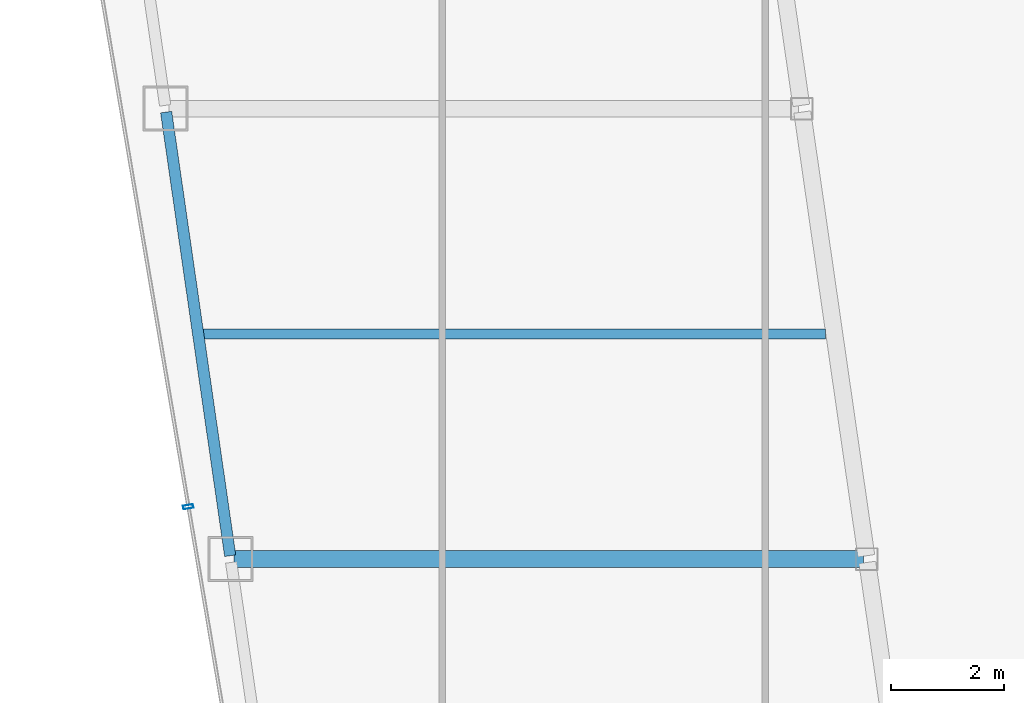
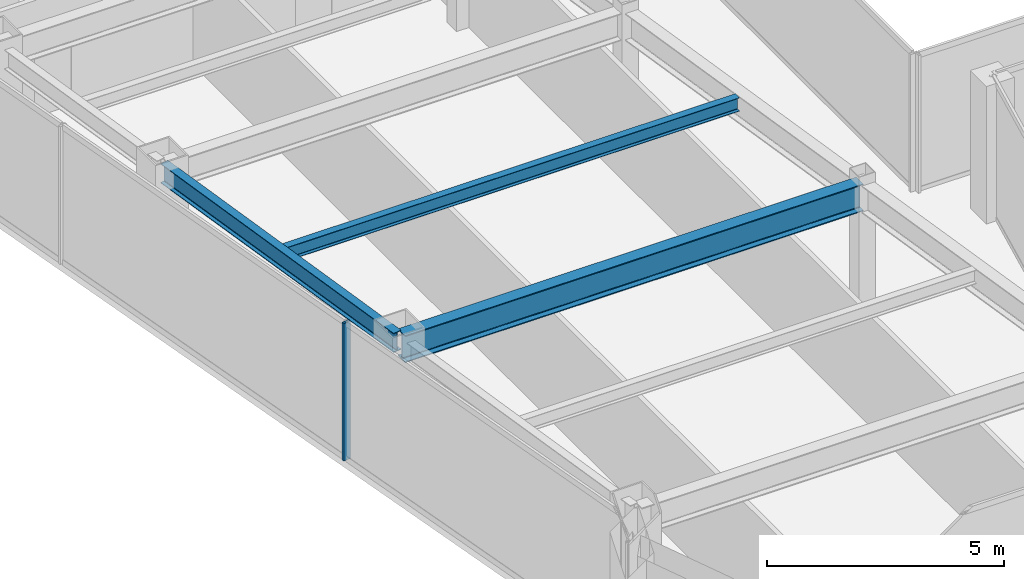
# One storey, part 5 of 36: 3 beams, 1 member, 1 element without a shape of its own.
"""IFC4 building model written with IfcOpenShell, lengths in metres."""

import ifcopenshell
import ifcopenshell.guid

model = None  # the IFC model being written
_history = None  # IfcOwnerHistory: only IFC2X3 demands one
_inside = {}  # id of a spatial element -> (the spatial element, [elements in it])
_under = {}  # id of a project, library or spatial element -> (it, [spatial elements below it])
_declared = {}  # id of a project -> (the project, [libraries it declares])
_typed = {}  # id of a type object -> (the type object, [elements of that type])
_made_of = {}  # id of a material, layer set ... -> (it, [elements and type objects made of it])


def new_model(schema):
    """Start an empty IFC model of exactly this schema.

    Asked for "IFC4X3", IfcOpenShell would pick the latest addendum, in which some entities
    have other attributes; the version numbers below select the first issue.
    IFC2X3 requires an IfcOwnerHistory on every rooted entity: one is made here for all.
    """
    global model, _history
    if schema == "IFC4X3":
        model = ifcopenshell.file(schema_version=(4, 3, 0, 0))
    else:
        model = ifcopenshell.file(schema=schema)
    _inside.clear()
    _under.clear()
    _declared.clear()
    _typed.clear()
    _made_of.clear()
    _history = None
    if model.schema == "IFC2X3":
        org = make("IfcOrganization", Name="unknown")
        user = make(
            "IfcPersonAndOrganization",
            ThePerson=make("IfcPerson", FamilyName="unknown"),
            TheOrganization=org,
        )
        app = make(
            "IfcApplication",
            ApplicationDeveloper=org,
            Version="unknown",
            ApplicationFullName="unknown",
            ApplicationIdentifier="unknown",
        )
        _history = make(
            "IfcOwnerHistory",
            OwningUser=user,
            OwningApplication=app,
            ChangeAction="ADDED",
            CreationDate=0,
        )
    return model


def make(cls, **values):
    """One entity of the class cls with the attributes given. An attribute that is None is left unset."""
    return model.create_entity(
        cls, **{name: value for name, value in values.items() if value is not None}
    )


def rooted(cls, **values):
    """An entity with a GlobalId (a new one), such as an element, a storey or a relation."""
    return make(cls, GlobalId=ifcopenshell.guid.new(), OwnerHistory=_history, **values)


def si_unit(unit_type, name, prefix=None):
    """IfcSIUnit, for example si_unit("LENGTHUNIT", "METRE", prefix="MILLI")."""
    return make("IfcSIUnit", UnitType=unit_type, Prefix=prefix, Name=name)


def assignment(units):
    """IfcUnitAssignment: the units of a project."""
    return None if units is None else make("IfcUnitAssignment", Units=units)


def point(xyz):
    """IfcCartesianPoint."""
    return None if xyz is None else make("IfcCartesianPoint", Coordinates=xyz)


def direction(xyz):
    """IfcDirection."""
    return None if xyz is None else make("IfcDirection", DirectionRatios=xyz)


def frame(location, z_axis=None, x_axis=None):
    """IfcAxis2Placement3D, a coordinate frame: its origin and axes. An axis left out is left unset."""
    return make(
        "IfcAxis2Placement3D",
        Location=point(location),
        Axis=direction(z_axis),
        RefDirection=direction(x_axis),
    )


def frame_2d(location, x_axis=None):
    """IfcAxis2Placement2D, a coordinate frame in the plane: its origin and x axis."""
    return make(
        "IfcAxis2Placement2D", Location=point(location), RefDirection=direction(x_axis)
    )


def origin():
    """The frame at (0, 0, 0) with its axes left unset."""
    return frame((0.0, 0.0, 0.0))


def origin_2d():
    """The frame at (0, 0) in the plane with its x axis left unset."""
    return frame_2d((0.0, 0.0))


def place(relative_to, where):
    """IfcLocalPlacement: puts the frame where relative to a parent placement (None: the world)."""
    return make(
        "IfcLocalPlacement", PlacementRelTo=relative_to, RelativePlacement=where
    )


def context(
    kind, dimensions, precision=None, world=None, true_north=None, identifier=None
):
    """IfcGeometricRepresentationContext, for example the 3D "Model" context."""
    return make(
        "IfcGeometricRepresentationContext",
        ContextIdentifier=identifier,
        ContextType=kind,
        CoordinateSpaceDimension=dimensions,
        Precision=precision,
        WorldCoordinateSystem=world,
        TrueNorth=true_north,
    )


def subcontext(parent, identifier, kind, view, scale=None):
    """IfcGeometricRepresentationSubContext, for example "Body" below "Model"."""
    return make(
        "IfcGeometricRepresentationSubContext",
        ContextIdentifier=identifier,
        ContextType=kind,
        ParentContext=parent,
        TargetScale=scale,
        TargetView=view,
    )


def project(units=None, contexts=None):
    """IfcProject with its units and contexts."""
    return rooted(
        "IfcProject",
        Name="project",
        RepresentationContexts=contexts,
        UnitsInContext=assignment(units),
    )


def spatial(cls, under=None, at=None, **own):
    """A site, building, storey or space (cls), placed at a placement, below another one or the project."""
    s = rooted(cls, ObjectPlacement=at, **own)
    if under is not None:
        _under.setdefault(under.id(), (under, []))[1].append(s)
    return s


def profile(cls, at=None, kind="AREA", **sizes):
    """A parametric profile (cls). Its sizes go by their IFC names, for example OverallWidth=200.0."""
    return make(cls, ProfileType=kind, Position=at, **sizes)


def hollow_rectangle(**sizes):
    """IfcRectangleHollowProfileDef."""
    return profile("IfcRectangleHollowProfileDef", **sizes)


def i_section(**sizes):
    """IfcIShapeProfileDef."""
    return profile("IfcIShapeProfileDef", **sizes)


def extrude(swept, where, along, depth):
    """IfcExtrudedAreaSolid: the profile swept, set in the frame where, extruded along a direction by depth."""
    return make(
        "IfcExtrudedAreaSolid",
        SweptArea=swept,
        Position=where,
        ExtrudedDirection=direction(along),
        Depth=depth,
    )


def shape(context_of_items, identifier, shape_type, items):
    """IfcShapeRepresentation: the items that make up one representation, for example the "Body"."""
    return make(
        "IfcShapeRepresentation",
        ContextOfItems=context_of_items,
        RepresentationIdentifier=identifier,
        RepresentationType=shape_type,
        Items=items,
    )


def material(Name=None, Category=None):
    """IfcMaterial."""
    return make("IfcMaterial", Name=Name, Category=Category)


def material_profile(
    of_material, cross_section, Name=None, Category=None, Priority=None
):
    """IfcMaterialProfile: a cross section and its material."""
    return make(
        "IfcMaterialProfile",
        Name=Name,
        Material=of_material,
        Profile=cross_section,
        Priority=Priority,
        Category=Category,
    )


def profile_set(profiles, Name=None, composite=None):
    """IfcMaterialProfileSet."""
    return make(
        "IfcMaterialProfileSet",
        Name=Name,
        MaterialProfiles=profiles,
        CompositeProfile=composite,
    )


def made_of(thing, what):
    """Note that an element or type object is made of a material, layer set ...; save() writes the relation."""
    if what is not None:
        _made_of.setdefault(what.id(), (what, []))[1].append(thing)
    return thing


def type_object(cls, material=None, **own):
    """A type object (cls), such as IfcWallType, which elements share."""
    return made_of(rooted(cls, **own), material)


def element(
    cls,
    number,
    at=None,
    inside=None,
    cuts=None,
    type_object=None,
    material=None,
    context=None,
    identifier="Body",
    shape_type=None,
    held_by="IfcProductDefinitionShape",
    body=None,
    shapes=None,
    **own,
):
    """One element of the class cls, such as IfcWall. Its Tag is "e" and its number.

    at: its placement. inside: the storey or other place that contains it. cuts: it is an
    opening in that element (IfcRelVoidsElement). A single representation is given by context,
    identifier, shape_type and body (its items); several are given by shapes. held_by: the class
    of the entity that holds the representations. save() writes the other relations.
    """
    e = rooted(cls, Tag="e%d" % number, ObjectPlacement=at, **own)
    if body is not None:
        shapes = [shape(context, identifier, shape_type, body)]
    if shapes is not None:
        e.Representation = make(held_by, Representations=shapes)
    if inside is not None:
        _inside.setdefault(inside.id(), (inside, []))[1].append(e)
    if cuts is not None:
        rooted(
            "IfcRelVoidsElement", RelatingBuildingElement=cuts, RelatedOpeningElement=e
        )
    if type_object is not None:
        _typed.setdefault(type_object.id(), (type_object, []))[1].append(e)
    return made_of(e, material)


def aggregate(whole, parts):
    """IfcRelAggregates: a whole, such as a stair, and the parts it consists of."""
    return rooted("IfcRelAggregates", RelatingObject=whole, RelatedObjects=parts)


def save(model, path):
    """Write the relations noted so far, then the file.

    IfcRelAggregates (storeys below a building ...), IfcRelContainedInSpatialStructure (elements
    in a storey), IfcRelDefinesByType, IfcRelAssociatesMaterial and IfcRelDeclares: one each for
    every whole, place, type object, material and project.
    """
    for whole, parts in _under.values():
        aggregate(whole, parts)
    for where, things in _inside.values():
        rooted(
            "IfcRelContainedInSpatialStructure",
            RelatedElements=things,
            RelatingStructure=where,
        )
    for kind, things in _typed.values():
        rooted("IfcRelDefinesByType", RelatedObjects=things, RelatingType=kind)
    for what, things in _made_of.values():
        rooted("IfcRelAssociatesMaterial", RelatedObjects=things, RelatingMaterial=what)
    for by, libraries in _declared.values():
        rooted("IfcRelDeclares", RelatingContext=by, RelatedDefinitions=libraries)
    model.write(path)


model = new_model("IFC4")

# Units and contexts
model_context = context("Model", 3, precision=1e-05, world=origin(), true_north=direction((0.0, 1.0)))
body_context = subcontext(model_context, "Body", "Model", "MODEL_VIEW")
ifc_project = project(units=[si_unit("LENGTHUNIT", "METRE"), si_unit("AREAUNIT", "SQUARE_METRE"), si_unit("VOLUMEUNIT", "CUBIC_METRE"), si_unit("PLANEANGLEUNIT", "RADIAN"), si_unit("MASSUNIT", "GRAM", prefix="KILO")], contexts=[model_context])

# Site, building, storey
site_placement = place(None, origin())
site = spatial("IfcSite", under=ifc_project, at=site_placement, CompositionType="ELEMENT")
building_placement = place(site_placement, origin())
building = spatial("IfcBuilding", under=site, at=building_placement, Name="Saevonmaru Cultural Tower", CompositionType="ELEMENT")
storey_placement = place(building_placement, frame((0.0, 0.0, 182.800048828125)))
storey = spatial("IfcBuildingStorey", under=building, at=storey_placement, Name="L41", CompositionType="ELEMENT", Elevation=182.800048828125)

# Beams
ifc_material_1 = material(Name="Steel SM355", Category="steel")
ifc_material_profile_1 = material_profile(ifc_material_1, i_section(OverallWidth=0.300048828125, OverallDepth=0.699951171875, WebThickness=0.012939453125, FlangeThickness=0.02392578125, FilletRadius=0.02587890625, at=origin_2d()), Name="H-700x300x13x24")
ifc_profile_set_1 = profile_set([ifc_material_profile_1], Name="Steel SM355")
beam_type_1 = type_object("IfcBeamType", Name="BM-G-H700", PredefinedType="BEAM", material=ifc_profile_set_1)
beam_1_placement = place(storey_placement, frame((9.531982421875, 24.0, 3.199951171875), z_axis=(1.0, 0.0, 0.0), x_axis=(0.0, 1.0, 0.0)))
element("IfcBeam", 1, at=beam_1_placement, inside=storey, type_object=beam_type_1, Name="L41 West Wing Transverse Girder 2", PredefinedType="BEAM", context=body_context, shape_type="SweptSolid", body=[
    extrude(i_section(OverallWidth=0.300048828125, OverallDepth=0.699951171875, WebThickness=0.012939453125, FlangeThickness=0.02392578125, FilletRadius=0.02587890625, at=origin_2d()), origin(), (0.0, 0.0, 1.0), 11.179931640625),
])
ifc_material_profile_2 = material_profile(ifc_material_1, i_section(OverallWidth=0.175048828125, OverallDepth=0.35009765625, WebThickness=0.007080078125, FlangeThickness=0.010986328125, FilletRadius=0.012939453125, at=origin_2d()), Name="H-350x175x7x11")
ifc_profile_set_2 = profile_set([ifc_material_profile_2], Name="Steel SM355")
beam_type_2 = type_object("IfcBeamType", Name="BM-J-H350", PredefinedType="JOIST", material=ifc_profile_set_2)
beam_2_placement = place(storey_placement, frame((8.95458984375, 28.0, 3.375), z_axis=(1.0, 0.0, 0.0), x_axis=(0.0, 1.0, 0.0)))
element("IfcBeam", 2, at=beam_2_placement, inside=storey, type_object=beam_type_2, Name="L41 West Wing Floor Joist 2", PredefinedType="JOIST", context=body_context, shape_type="SweptSolid", body=[
    extrude(i_section(OverallWidth=0.175048828125, OverallDepth=0.35009765625, WebThickness=0.007080078125, FlangeThickness=0.010986328125, FilletRadius=0.012939453125, at=origin_2d()), origin(), (0.0, 0.0, 1.0), 11.08203125),
])
ifc_material_profile_3 = material_profile(ifc_material_1, i_section(OverallWidth=0.199951171875, OverallDepth=0.5, WebThickness=0.010009765625, FlangeThickness=0.01611328125, FilletRadius=0.02001953125, at=origin_2d()), Name="H-500x200x10x16")
ifc_profile_set_3 = profile_set([ifc_material_profile_3], Name="Steel SM355")
beam_type_3 = type_object("IfcBeamType", Name="BM-SP-H500", PredefinedType="SPANDREL", material=ifc_profile_set_3)
beam_3_placement = place(storey_placement, frame((9.46337890625, 24.059326171875, 3.300048828125), z_axis=(-0.142871999001, 0.989741174197, 0.0), x_axis=(-0.989741174197, -0.142871999001, 0.0)))
element("IfcBeam", 3, at=beam_3_placement, inside=storey, type_object=beam_type_3, Name="L41 West Splayed Spandrel 2", PredefinedType="SPANDREL", context=body_context, shape_type="SweptSolid", body=[
    extrude(i_section(OverallWidth=0.199951171875, OverallDepth=0.5, WebThickness=0.010009765625, FlangeThickness=0.01611328125, FilletRadius=0.02001953125, at=origin_2d()), origin(), (0.0, 0.0, 1.0), 7.963134765625),
])

# Curtain wall, member
ifc_material_2 = material(Name="Satin Bronze Anodised Aluminium", Category="aluminium")
curtain_wall_type = type_object("IfcCurtainWallType", Name="CW-TYP-B", PredefinedType="NOTDEFINED", material=ifc_material_2)
curtain_wall_placement = place(storey_placement, origin())
curtain_wall = element("IfcCurtainWall", 4, at=curtain_wall_placement, inside=storey, type_object=curtain_wall_type, Name="L41 Unitised Curtain Wall E12", PredefinedType="NOTDEFINED")
ifc_material_profile_4 = material_profile(ifc_material_2, hollow_rectangle(XDim=0.06494140625, YDim=0.179931640625, WallThickness=0.00390625, at=origin_2d()), Name="ALU-MULL-180x65x4")
ifc_profile_set_4 = profile_set([ifc_material_profile_4], Name="Satin Bronze Anodised Aluminium")
member_type = type_object("IfcMemberType", Name="ML-CW-180x65", PredefinedType="MULLION", material=ifc_profile_set_4)
member_placement = place(storey_placement, frame((8.71826171875, 24.9296875, 0.0), z_axis=(0.0, 0.0, 1.0), x_axis=(0.16692169721, -0.985970155228, 0.0)))
member = element("IfcMember", 5, at=member_placement, type_object=member_type, Name="CW-TW-L41-E12 mullion 4", PredefinedType="MULLION", context=body_context, shape_type="SweptSolid", body=[
    extrude(hollow_rectangle(XDim=0.06494140625, YDim=0.179931640625, WallThickness=0.00390625, at=origin_2d()), origin(), (0.0, 0.0, 1.0), 3.550048828125),
])
aggregate(curtain_wall, [member])

save(model, "model.ifc")
